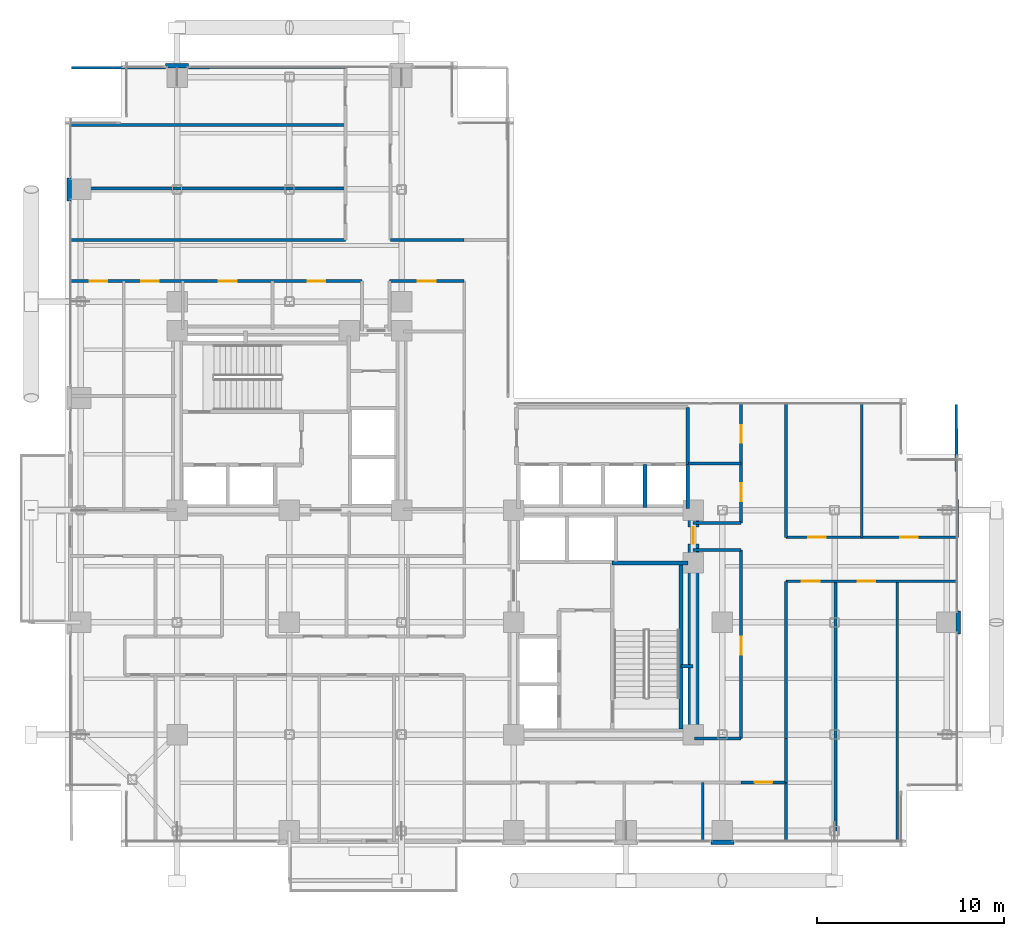
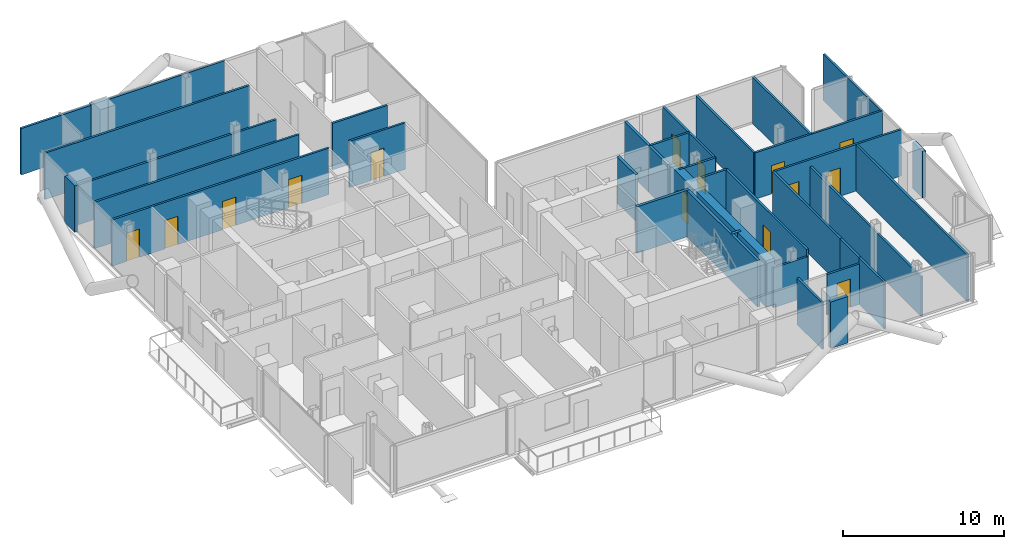
# One storey, part 21 of 24: 37 walls, 14 doors, 14 openings.
"""IFC4 building model written with IfcOpenShell, lengths in metres."""

from ifc_helpers import new_model, si_unit, direction, frame, frame_2d, origin, place, context, subcontext, project, spatial, rectangle, extrude, material, layer, layer_set, type_object, element, fill, save


model = new_model("IFC4")

# Units and contexts
model_context = context("Model", 3, precision=1e-05, world=origin(), true_north=direction((0.0, 1.0)))
body_context = subcontext(model_context, "Body", "Model", "MODEL_VIEW")
ifc_project = project(units=[si_unit("LENGTHUNIT", "METRE"), si_unit("AREAUNIT", "SQUARE_METRE"), si_unit("VOLUMEUNIT", "CUBIC_METRE"), si_unit("PLANEANGLEUNIT", "RADIAN"), si_unit("MASSUNIT", "GRAM", prefix="KILO"), si_unit("THERMODYNAMICTEMPERATUREUNIT", "KELVIN"), si_unit("POWERUNIT", "WATT")], contexts=[model_context])

# Site, building, storey
site_placement = place(None, origin())
site = spatial("IfcSite", under=ifc_project, at=site_placement, CompositionType="ELEMENT")
building_placement = place(site_placement, origin())
building = spatial("IfcBuilding", under=site, at=building_placement, Name="Svarakhadi Broadcast Tower", CompositionType="ELEMENT")
storey_placement = place(building_placement, frame((0.0, 0.0, 156.89990234375)))
storey = spatial("IfcBuildingStorey", under=building, at=storey_placement, Name="L38", CompositionType="ELEMENT", Elevation=156.89990234375)

# Walls
ifc_material_1 = material(Name="Concrete C40/50 (IS 456 M50)", Category="concrete")
ifc_layer_1 = layer(ifc_material_1, 0.239990234375)
ifc_layer_set_1 = layer_set([ifc_layer_1], Name="Concrete C40/50 (IS 456 M50)")
wall_type_1 = type_object("IfcWallType", Name="Wall_Ext_240", PredefinedType="SOLIDWALL", material=ifc_layer_set_1)
for number, where, z_axis, x_axis, name in (
    (1, (0.239990234375, 34.534912109375, 0.0), (0.0, 0.0, 1.0), (0.0, 1.0, 0.0), "L38 Perimeter Bronze Spandrel Closure Wall 03"),
    (2, (5.385009765625, 41.760009765625, 0.0), (0.0, 0.0, 1.0), (1.0, 0.0, 0.0), "L38 Perimeter Bronze Spandrel Closure Wall 04"),
    (3, (47.760009765625, 12.614990234375, 0.0), (0.0, 0.0, 1.0), (0.0, -1.0, 0.0), "L38 Perimeter Bronze Spandrel Closure Wall 06"),
    (4, (35.764892578125, 0.239990234375, 0.0), (0.0, 0.0, 1.0), (-1.0, 0.0, 0.0), "L38 Perimeter Bronze Spandrel Closure Wall 07"),
):
    element("IfcWall", number, at=place(storey_placement, frame(where, z_axis=z_axis, x_axis=x_axis)), inside=storey, type_object=wall_type_1, Name=name, PredefinedType="SOLIDWALL", context=body_context, shape_type="SweptSolid", body=[
        extrude(rectangle(XDim=1.22998046875, YDim=0.239990234375, at=frame_2d((0.614990234375, 0.0))), origin(), (0.0, 0.0, 1.0), 3.525146484375),
    ])
ifc_layer_2 = layer(ifc_material_1, 0.199951171875)
ifc_layer_set_2 = layer_set([ifc_layer_2], Name="Concrete C40/50 (IS 456 M50)")
wall_type_2 = type_object("IfcWallType", Name="Wall_Fire_200", PredefinedType="SOLIDWALL", material=ifc_layer_set_2)
wall_1_placement = place(storey_placement, frame((32.93994140625, 9.659912109375, 0.0), z_axis=(0.0, 0.0, 1.0), x_axis=(1.0, 0.0, 0.0)))
element("IfcWall", 5, at=wall_1_placement, inside=storey, type_object=wall_type_2, Name="L38 HV Busduct Riser Shaft North Wall", PredefinedType="SOLIDWALL", context=body_context, shape_type="SweptSolid", body=[
    extrude(rectangle(XDim=0.64013671875, YDim=0.199951171875, at=frame_2d((0.320068359375, 0.0))), origin(), (0.0, 0.0, 1.0), 3.525146484375),
])

# Wall, opening, door
ifc_material_2 = material(Name="Autoclaved Aerated Concrete Blockwork 150 mm", Category="masonry")
ifc_layer_3 = layer(ifc_material_2, 0.14990234375)
ifc_layer_set_3 = layer_set([ifc_layer_3], Name="Autoclaved Aerated Concrete Blockwork 150 mm")
wall_type_3 = type_object("IfcWallType", Name="Wall_Part_150", PredefinedType="PARTITIONING", material=ifc_layer_set_3)
wall_2_placement = place(storey_placement, frame((36.14990234375, 5.800048828125, 0.0), z_axis=(0.0, 0.0, 1.0), x_axis=(0.0, 1.0, 0.0)))
wall_2 = element("IfcWall", 6, at=wall_2_placement, inside=storey, type_object=wall_type_3, Name="L38 Zone 2/3 Corridor Wall", PredefinedType="PARTITIONING", context=body_context, shape_type="SweptSolid", body=[
    extrude(rectangle(XDim=10.079833984375, YDim=0.14990234375, at=frame_2d((5.0400390625, 0.0))), origin(), (0.0, 0.0, 1.0), 3.525146484375),
])
opening_1_placement = place(wall_2_placement, frame((4.47998046875, 0.0, 0.0)))
opening_1 = element("IfcOpeningElement", 7, at=opening_1_placement, cuts=wall_2, Name="Opening D-06", PredefinedType="OPENING", context=body_context, shape_type="SweptSolid", body=[
    extrude(rectangle(XDim=0.949951171875, YDim=2.14990234375, at=frame_2d((0.47509765625, 1.074951171875))), frame((0.0, 0.0849609375, 0.0), z_axis=(0.0, -1.0, 0.0), x_axis=(1.0, 0.0, 0.0)), (0.0, 0.0, 1.0), 0.169921875),
])
ifc_material_3 = material(Name="Solid-Core Teak Veneer Acoustic Timber Leaf", Category="wood")
door_type_1 = type_object("IfcDoorType", Name="Door_Office_D06", OperationType="SINGLE_SWING_LEFT", PredefinedType="DOOR", material=ifc_material_3)
door_1_placement = place(opening_1_placement, origin())
door_1 = element("IfcDoor", 8, at=door_1_placement, inside=storey, type_object=door_type_1, Name="L38 Media Playout Monitoring Office Door", OperationType="SINGLE_SWING_LEFT", OverallHeight=2.14990234375, OverallWidth=0.949951171875, PredefinedType="DOOR", context=body_context, shape_type="SweptSolid", body=[
    extrude(rectangle(XDim=0.949951171875, YDim=2.14990234375, at=frame_2d((0.47509765625, 1.074951171875))), frame((0.0, 0.02490234375, 0.0), z_axis=(0.0, -1.0, 0.0), x_axis=(1.0, 0.0, 0.0)), (0.0, 0.0, 1.0), 0.050048828125),
])
fill(opening_1, door_1)

# Walls
for number, where, z_axis, x_axis, name in (
    (9, (36.14990234375, 15.8798828125, 0.0), (0.0, 0.0, 1.0), (-1.0, 0.0, 0.0), "L38 Zone 2/3 Corridor Wall"),
    (10, (33.580078125, 17.320068359375, 0.0), (0.0, 0.0, 1.0), (1.0, 0.0, 0.0), "L38 Zone 2/3 Corridor Wall"),
):
    element("IfcWall", number, at=place(storey_placement, frame(where, z_axis=z_axis, x_axis=x_axis)), inside=storey, type_object=wall_type_3, Name=name, PredefinedType="PARTITIONING", context=body_context, shape_type="SweptSolid", body=[
        extrude(rectangle(XDim=2.56982421875, YDim=0.14990234375, at=frame_2d((1.284912109375, 0.0))), origin(), (0.0, 0.0, 1.0), 3.525146484375),
    ])

# Wall, openings, doors
wall_3_placement = place(storey_placement, frame((36.14990234375, 17.320068359375, 0.0), z_axis=(0.0, 0.0, 1.0), x_axis=(0.0, 1.0, 0.0)))
wall_3 = element("IfcWall", 11, at=wall_3_placement, inside=storey, type_object=wall_type_3, Name="L38 Zone 2/3 Corridor Wall", PredefinedType="PARTITIONING", context=body_context, shape_type="SweptSolid", body=[
    extrude(rectangle(XDim=6.3798828125, YDim=0.14990234375, at=frame_2d((3.18994140625, 0.0))), origin(), (0.0, 0.0, 1.0), 3.525146484375),
])
opening_2_placement = place(wall_3_placement, frame((1.159912109375, 0.0, 0.0)))
opening_2 = element("IfcOpeningElement", 12, at=opening_2_placement, cuts=wall_3, Name="Opening D-07", PredefinedType="OPENING", context=body_context, shape_type="SweptSolid", body=[
    extrude(rectangle(XDim=0.949951171875, YDim=2.14990234375, at=frame_2d((0.47509765625, 1.074951171875))), frame((0.0, 0.0849609375, 0.0), z_axis=(0.0, -1.0, 0.0), x_axis=(1.0, 0.0, 0.0)), (0.0, 0.0, 1.0), 0.169921875),
])
opening_3_placement = place(wall_3_placement, frame((4.280029296875, 0.0, 0.0)))
opening_3 = element("IfcOpeningElement", 13, at=opening_3_placement, cuts=wall_3, Name="Opening D-07", PredefinedType="OPENING", context=body_context, shape_type="SweptSolid", body=[
    extrude(rectangle(XDim=0.949951171875, YDim=2.14990234375, at=frame_2d((0.47509765625, 1.074951171875))), frame((0.0, 0.0849609375, 0.0), z_axis=(0.0, -1.0, 0.0), x_axis=(1.0, 0.0, 0.0)), (0.0, 0.0, 1.0), 0.169921875),
])
door_type_2 = type_object("IfcDoorType", Name="Door_Office_D07", OperationType="SINGLE_SWING_RIGHT", PredefinedType="DOOR", material=ifc_material_3)
door_2_placement = place(opening_2_placement, origin())
door_2 = element("IfcDoor", 14, at=door_2_placement, inside=storey, type_object=door_type_2, Name="L38 Post-Production Coordination Office Door", OperationType="SINGLE_SWING_RIGHT", OverallHeight=2.14990234375, OverallWidth=0.949951171875, PredefinedType="DOOR", context=body_context, shape_type="SweptSolid", body=[
    extrude(rectangle(XDim=0.949951171875, YDim=2.14990234375, at=frame_2d((0.47509765625, 1.074951171875))), frame((0.0, 0.02490234375, 0.0), z_axis=(0.0, -1.0, 0.0), x_axis=(1.0, 0.0, 0.0)), (0.0, 0.0, 1.0), 0.050048828125),
])
fill(opening_2, door_2)
door_3_placement = place(opening_3_placement, origin())
door_3 = element("IfcDoor", 15, at=door_3_placement, inside=storey, type_object=door_type_2, Name="L38 Broadcast Quality Review Pod Door", OperationType="SINGLE_SWING_RIGHT", OverallHeight=2.14990234375, OverallWidth=0.949951171875, PredefinedType="DOOR", context=body_context, shape_type="SweptSolid", body=[
    extrude(rectangle(XDim=0.949951171875, YDim=2.14990234375, at=frame_2d((0.47509765625, 1.074951171875))), frame((0.0, 0.02490234375, 0.0), z_axis=(0.0, -1.0, 0.0), x_axis=(1.0, 0.0, 0.0)), (0.0, 0.0, 1.0), 0.050048828125),
])
fill(opening_3, door_3)

# Wall
wall_4_placement = place(storey_placement, frame((38.550048828125, 23.699951171875, 0.0), z_axis=(0.0, 0.0, 1.0), x_axis=(0.0, -1.0, 0.0)))
element("IfcWall", 16, at=wall_4_placement, inside=storey, type_object=wall_type_3, Name="L38 Zone 2/3 Corridor Wall", PredefinedType="PARTITIONING", context=body_context, shape_type="SweptSolid", body=[
    extrude(rectangle(XDim=7.14990234375, YDim=0.14990234375, at=frame_2d((3.574951171875, 0.0))), origin(), (0.0, 0.0, 1.0), 3.525146484375),
])

# Wall, openings, doors
wall_5_placement = place(storey_placement, frame((38.550048828125, 16.550048828125, 0.0), z_axis=(0.0, 0.0, 1.0), x_axis=(1.0, 0.0, 0.0)))
wall_5 = element("IfcWall", 17, at=wall_5_placement, inside=storey, type_object=wall_type_3, Name="L38 Zone 2/3 Corridor Wall", PredefinedType="PARTITIONING", context=body_context, shape_type="SweptSolid", body=[
    extrude(rectangle(XDim=9.14990234375, YDim=0.14990234375, at=frame_2d((4.574951171875, 0.0))), origin(), (0.0, 0.0, 1.0), 3.525146484375),
])
opening_4_placement = place(wall_5_placement, frame((1.179931640625, 0.0, 0.0)))
opening_4 = element("IfcOpeningElement", 18, at=opening_4_placement, cuts=wall_5, Name="Opening D-06", PredefinedType="OPENING", context=body_context, shape_type="SweptSolid", body=[
    extrude(rectangle(XDim=0.949951171875, YDim=2.14990234375, at=frame_2d((0.47509765625, 1.074951171875))), frame((0.0, 0.0849609375, 0.0), z_axis=(0.0, -1.0, 0.0), x_axis=(1.0, 0.0, 0.0)), (0.0, 0.0, 1.0), 0.169921875),
])
opening_5_placement = place(wall_5_placement, frame((6.10009765625, 0.0, 0.0)))
opening_5 = element("IfcOpeningElement", 19, at=opening_5_placement, cuts=wall_5, Name="Opening D-07", PredefinedType="OPENING", context=body_context, shape_type="SweptSolid", body=[
    extrude(rectangle(XDim=0.949951171875, YDim=2.14990234375, at=frame_2d((0.47509765625, 1.074951171875))), frame((0.0, 0.0849609375, 0.0), z_axis=(0.0, -1.0, 0.0), x_axis=(1.0, 0.0, 0.0)), (0.0, 0.0, 1.0), 0.169921875),
])
door_4_placement = place(opening_4_placement, origin())
door_4 = element("IfcDoor", 20, at=door_4_placement, inside=storey, type_object=door_type_1, Name="L38 Broadcast Graphics Room Door", OperationType="SINGLE_SWING_LEFT", OverallHeight=2.14990234375, OverallWidth=0.949951171875, PredefinedType="DOOR", context=body_context, shape_type="SweptSolid", body=[
    extrude(rectangle(XDim=0.949951171875, YDim=2.14990234375, at=frame_2d((0.47509765625, 1.074951171875))), frame((0.0, 0.02490234375, 0.0), z_axis=(0.0, -1.0, 0.0), x_axis=(1.0, 0.0, 0.0)), (0.0, 0.0, 1.0), 0.050048828125),
])
fill(opening_4, door_4)
door_5_placement = place(opening_5_placement, origin())
door_5 = element("IfcDoor", 21, at=door_5_placement, inside=storey, type_object=door_type_2, Name="L38 Graphics Workstation Office Door", OperationType="SINGLE_SWING_RIGHT", OverallHeight=2.14990234375, OverallWidth=0.949951171875, PredefinedType="DOOR", context=body_context, shape_type="SweptSolid", body=[
    extrude(rectangle(XDim=0.949951171875, YDim=2.14990234375, at=frame_2d((0.47509765625, 1.074951171875))), frame((0.0, 0.02490234375, 0.0), z_axis=(0.0, -1.0, 0.0), x_axis=(1.0, 0.0, 0.0)), (0.0, 0.0, 1.0), 0.050048828125),
])
fill(opening_5, door_5)

wall_6_placement = place(storey_placement, frame((47.699951171875, 14.199951171875, 0.0), z_axis=(0.0, 0.0, 1.0), x_axis=(-1.0, 0.0, 0.0)))
wall_6 = element("IfcWall", 22, at=wall_6_placement, inside=storey, type_object=wall_type_3, Name="L38 Zone 2/3 Corridor Wall", PredefinedType="PARTITIONING", context=body_context, shape_type="SweptSolid", body=[
    extrude(rectangle(XDim=9.14990234375, YDim=0.14990234375, at=frame_2d((4.574951171875, 0.0))), origin(), (0.0, 0.0, 1.0), 3.525146484375),
])
opening_6_placement = place(wall_6_placement, frame((7.35009765625, 0.0, 0.0)))
opening_6 = element("IfcOpeningElement", 23, at=opening_6_placement, cuts=wall_6, Name="Opening D-06", PredefinedType="OPENING", context=body_context, shape_type="SweptSolid", body=[
    extrude(rectangle(XDim=0.949951171875, YDim=2.14990234375, at=frame_2d((0.47509765625, 1.074951171875))), frame((0.0, 0.0849609375, 0.0), z_axis=(0.0, -1.0, 0.0), x_axis=(1.0, 0.0, 0.0)), (0.0, 0.0, 1.0), 0.169921875),
])
opening_7_placement = place(wall_6_placement, frame((4.375, 0.0, 0.0)))
opening_7 = element("IfcOpeningElement", 24, at=opening_7_placement, cuts=wall_6, Name="Opening D-07", PredefinedType="OPENING", context=body_context, shape_type="SweptSolid", body=[
    extrude(rectangle(XDim=0.949951171875, YDim=2.14990234375, at=frame_2d((0.47509765625, 1.074951171875))), frame((0.0, 0.0849609375, 0.0), z_axis=(0.0, -1.0, 0.0), x_axis=(1.0, 0.0, 0.0)), (0.0, 0.0, 1.0), 0.169921875),
])
door_6_placement = place(opening_6_placement, origin())
door_6 = element("IfcDoor", 25, at=door_6_placement, inside=storey, type_object=door_type_1, Name="L38 Multilingual Subtitling Office Door", OperationType="SINGLE_SWING_LEFT", OverallHeight=2.14990234375, OverallWidth=0.949951171875, PredefinedType="DOOR", context=body_context, shape_type="SweptSolid", body=[
    extrude(rectangle(XDim=0.949951171875, YDim=2.14990234375, at=frame_2d((0.47509765625, 1.074951171875))), frame((0.0, 0.02490234375, 0.0), z_axis=(0.0, -1.0, 0.0), x_axis=(1.0, 0.0, 0.0)), (0.0, 0.0, 1.0), 0.050048828125),
])
fill(opening_6, door_6)
door_7_placement = place(opening_7_placement, origin())
door_7 = element("IfcDoor", 26, at=door_7_placement, inside=storey, type_object=door_type_2, Name="L38 Sign-Language Capture Booth Door", OperationType="SINGLE_SWING_RIGHT", OverallHeight=2.14990234375, OverallWidth=0.949951171875, PredefinedType="DOOR", context=body_context, shape_type="SweptSolid", body=[
    extrude(rectangle(XDim=0.949951171875, YDim=2.14990234375, at=frame_2d((0.47509765625, 1.074951171875))), frame((0.0, 0.02490234375, 0.0), z_axis=(0.0, -1.0, 0.0), x_axis=(1.0, 0.0, 0.0)), (0.0, 0.0, 1.0), 0.050048828125),
])
fill(opening_7, door_7)

# Walls
wall_7_placement = place(storey_placement, frame((38.550048828125, 14.199951171875, 0.0), z_axis=(0.0, 0.0, 1.0), x_axis=(0.0, -1.0, 0.0)))
element("IfcWall", 27, at=wall_7_placement, inside=storey, type_object=wall_type_3, Name="L38 Zone 2/3 Corridor Wall", PredefinedType="PARTITIONING", context=body_context, shape_type="SweptSolid", body=[
    extrude(rectangle(XDim=8.39990234375, YDim=0.14990234375, at=frame_2d((4.199951171875, 0.0))), origin(), (0.0, 0.0, 1.0), 3.525146484375),
])
wall_8_placement = place(storey_placement, frame((38.550048828125, 5.800048828125, 0.0), z_axis=(0.0, 0.0, 1.0), x_axis=(0.0, -1.0, 0.0)))
element("IfcWall", 28, at=wall_8_placement, inside=storey, type_object=wall_type_3, Name="L38 Zone 2/3 Corridor Wall", PredefinedType="PARTITIONING", context=body_context, shape_type="SweptSolid", body=[
    extrude(rectangle(XDim=2.35009765625, YDim=0.14990234375, at=frame_2d((1.175048828125, 0.0))), origin(), (0.0, 0.0, 1.0), 3.525146484375),
])

# Wall, opening, door
wall_9_placement = place(storey_placement, frame((38.550048828125, 3.449951171875, 0.0), z_axis=(0.0, 0.0, 1.0), x_axis=(-1.0, 0.0, 0.0)))
wall_9 = element("IfcWall", 29, at=wall_9_placement, inside=storey, type_object=wall_type_3, Name="L38 Zone 2/3 Corridor Wall", PredefinedType="PARTITIONING", context=body_context, shape_type="SweptSolid", body=[
    extrude(rectangle(XDim=2.400146484375, YDim=0.14990234375, at=frame_2d((1.2001953125, 0.0))), origin(), (0.0, 0.0, 1.0), 3.067138671875),
])
opening_8_placement = place(wall_9_placement, frame((0.72509765625, 0.0, 0.0)))
opening_8 = element("IfcOpeningElement", 30, at=opening_8_placement, cuts=wall_9, Name="Opening D-06", PredefinedType="OPENING", context=body_context, shape_type="SweptSolid", body=[
    extrude(rectangle(XDim=0.949951171875, YDim=2.14990234375, at=frame_2d((0.47509765625, 1.074951171875))), frame((0.0, 0.0849609375, 0.0), z_axis=(0.0, -1.0, 0.0), x_axis=(1.0, 0.0, 0.0)), (0.0, 0.0, 1.0), 0.169921875),
])
door_8_placement = place(opening_8_placement, origin())
door_8 = element("IfcDoor", 31, at=door_8_placement, inside=storey, type_object=door_type_1, Name="L38 Harbour Front Production Office Door", OperationType="SINGLE_SWING_LEFT", OverallHeight=2.14990234375, OverallWidth=0.949951171875, PredefinedType="DOOR", context=body_context, shape_type="SweptSolid", body=[
    extrude(rectangle(XDim=0.949951171875, YDim=2.14990234375, at=frame_2d((0.47509765625, 1.074951171875))), frame((0.0, 0.02490234375, 0.0), z_axis=(0.0, -1.0, 0.0), x_axis=(1.0, 0.0, 0.0)), (0.0, 0.0, 1.0), 0.050048828125),
])
fill(opening_8, door_8)

wall_10_placement = place(storey_placement, frame((21.35009765625, 30.25, 0.0), z_axis=(0.0, 0.0, 1.0), x_axis=(-1.0, 0.0, 0.0)))
wall_10 = element("IfcWall", 32, at=wall_10_placement, inside=storey, type_object=wall_type_3, Name="L38 Zone 2/3 Corridor Wall", PredefinedType="PARTITIONING", context=body_context, shape_type="SweptSolid", body=[
    extrude(rectangle(XDim=4.0, YDim=0.14990234375, at=frame_2d((2.0, 0.0))), origin(), (0.0, 0.0, 1.0), 3.525146484375),
])
opening_9_placement = place(wall_10_placement, frame((1.52490234375, 0.0, 0.0)))
opening_9 = element("IfcOpeningElement", 33, at=opening_9_placement, cuts=wall_10, Name="Opening D-06", PredefinedType="OPENING", context=body_context, shape_type="SweptSolid", body=[
    extrude(rectangle(XDim=0.949951171875, YDim=2.14990234375, at=frame_2d((0.47509765625, 1.074951171875))), frame((0.0, 0.0849609375, 0.0), z_axis=(0.0, -1.0, 0.0), x_axis=(1.0, 0.0, 0.0)), (0.0, 0.0, 1.0), 0.169921875),
])
door_9_placement = place(opening_9_placement, origin())
door_9 = element("IfcDoor", 34, at=door_9_placement, inside=storey, type_object=door_type_1, Name="L38 Media Continuity Study Door", OperationType="SINGLE_SWING_LEFT", OverallHeight=2.14990234375, OverallWidth=0.949951171875, PredefinedType="DOOR", context=body_context, shape_type="SweptSolid", body=[
    extrude(rectangle(XDim=0.949951171875, YDim=2.14990234375, at=frame_2d((0.47509765625, 1.074951171875))), frame((0.0, 0.02490234375, 0.0), z_axis=(0.0, -1.0, 0.0), x_axis=(1.0, 0.0, 0.0)), (0.0, 0.0, 1.0), 0.050048828125),
])
fill(opening_9, door_9)

# Wall, openings, doors
wall_11_placement = place(storey_placement, frame((15.8798828125, 30.25, 0.0), z_axis=(0.0, 0.0, 1.0), x_axis=(-1.0, 0.0, 0.0)))
wall_11 = element("IfcWall", 35, at=wall_11_placement, inside=storey, type_object=wall_type_3, Name="L38 Zone 2/3 Corridor Wall", PredefinedType="PARTITIONING", context=body_context, shape_type="SweptSolid", body=[
    extrude(rectangle(XDim=15.579833984375, YDim=0.14990234375, at=frame_2d((7.7900390625, 0.0))), origin(), (0.0, 0.0, 1.0), 3.525146484375),
])
opening_10_placement = place(wall_11_placement, frame((13.610107421875, 0.0, 0.0)))
opening_10 = element("IfcOpeningElement", 36, at=opening_10_placement, cuts=wall_11, Name="Opening D-06", PredefinedType="OPENING", context=body_context, shape_type="SweptSolid", body=[
    extrude(rectangle(XDim=0.949951171875, YDim=2.14990234375, at=frame_2d((0.47509765625, 1.074951171875))), frame((0.0, 0.0849609375, 0.0), z_axis=(0.0, -1.0, 0.0), x_axis=(1.0, 0.0, 0.0)), (0.0, 0.0, 1.0), 0.169921875),
])
opening_11_placement = place(wall_11_placement, frame((10.85498046875, 0.0, 0.0)))
opening_11 = element("IfcOpeningElement", 37, at=opening_11_placement, cuts=wall_11, Name="Opening D-07", PredefinedType="OPENING", context=body_context, shape_type="SweptSolid", body=[
    extrude(rectangle(XDim=0.949951171875, YDim=2.14990234375, at=frame_2d((0.47509765625, 1.074951171875))), frame((0.0, 0.0849609375, 0.0), z_axis=(0.0, -1.0, 0.0), x_axis=(1.0, 0.0, 0.0)), (0.0, 0.0, 1.0), 0.169921875),
])
opening_12_placement = place(wall_11_placement, frame((6.705078125, 0.0, 0.0)))
opening_12 = element("IfcOpeningElement", 38, at=opening_12_placement, cuts=wall_11, Name="Opening D-07", PredefinedType="OPENING", context=body_context, shape_type="SweptSolid", body=[
    extrude(rectangle(XDim=0.949951171875, YDim=2.14990234375, at=frame_2d((0.47509765625, 1.074951171875))), frame((0.0, 0.0849609375, 0.0), z_axis=(0.0, -1.0, 0.0), x_axis=(1.0, 0.0, 0.0)), (0.0, 0.0, 1.0), 0.169921875),
])
opening_13_placement = place(wall_11_placement, frame((1.955078125, 0.0, 0.0)))
opening_13 = element("IfcOpeningElement", 39, at=opening_13_placement, cuts=wall_11, Name="Opening D-06", PredefinedType="OPENING", context=body_context, shape_type="SweptSolid", body=[
    extrude(rectangle(XDim=0.949951171875, YDim=2.14990234375, at=frame_2d((0.47509765625, 1.074951171875))), frame((0.0, 0.0849609375, 0.0), z_axis=(0.0, -1.0, 0.0), x_axis=(1.0, 0.0, 0.0)), (0.0, 0.0, 1.0), 0.169921875),
])
door_10_placement = place(opening_10_placement, origin())
door_10 = element("IfcDoor", 40, at=door_10_placement, inside=storey, type_object=door_type_1, Name="L38 Sunset Horizon Screening Room Door", OperationType="SINGLE_SWING_LEFT", OverallHeight=2.14990234375, OverallWidth=0.949951171875, PredefinedType="DOOR", context=body_context, shape_type="SweptSolid", body=[
    extrude(rectangle(XDim=0.949951171875, YDim=2.14990234375, at=frame_2d((0.47509765625, 1.074951171875))), frame((0.0, 0.02490234375, 0.0), z_axis=(0.0, -1.0, 0.0), x_axis=(1.0, 0.0, 0.0)), (0.0, 0.0, 1.0), 0.050048828125),
])
fill(opening_10, door_10)
door_11_placement = place(opening_13_placement, origin())
door_11 = element("IfcDoor", 41, at=door_11_placement, inside=storey, type_object=door_type_1, Name="L38 Editorial Color Grading Pod Door", OperationType="SINGLE_SWING_LEFT", OverallHeight=2.14990234375, OverallWidth=0.949951171875, PredefinedType="DOOR", context=body_context, shape_type="SweptSolid", body=[
    extrude(rectangle(XDim=0.949951171875, YDim=2.14990234375, at=frame_2d((0.47509765625, 1.074951171875))), frame((0.0, 0.02490234375, 0.0), z_axis=(0.0, -1.0, 0.0), x_axis=(1.0, 0.0, 0.0)), (0.0, 0.0, 1.0), 0.050048828125),
])
fill(opening_13, door_11)
door_12_placement = place(opening_11_placement, origin())
door_12 = element("IfcDoor", 42, at=door_12_placement, inside=storey, type_object=door_type_2, Name="L38 Sunset Horizon Screening Room Door", OperationType="SINGLE_SWING_RIGHT", OverallHeight=2.14990234375, OverallWidth=0.949951171875, PredefinedType="DOOR", context=body_context, shape_type="SweptSolid", body=[
    extrude(rectangle(XDim=0.949951171875, YDim=2.14990234375, at=frame_2d((0.47509765625, 1.074951171875))), frame((0.0, 0.02490234375, 0.0), z_axis=(0.0, -1.0, 0.0), x_axis=(1.0, 0.0, 0.0)), (0.0, 0.0, 1.0), 0.050048828125),
])
fill(opening_11, door_12)
door_13_placement = place(opening_12_placement, origin())
door_13 = element("IfcDoor", 43, at=door_13_placement, inside=storey, type_object=door_type_2, Name="L38 Acoustic Dubbing Booth Door", OperationType="SINGLE_SWING_RIGHT", OverallHeight=2.14990234375, OverallWidth=0.949951171875, PredefinedType="DOOR", context=body_context, shape_type="SweptSolid", body=[
    extrude(rectangle(XDim=0.949951171875, YDim=2.14990234375, at=frame_2d((0.47509765625, 1.074951171875))), frame((0.0, 0.02490234375, 0.0), z_axis=(0.0, -1.0, 0.0), x_axis=(1.0, 0.0, 0.0)), (0.0, 0.0, 1.0), 0.050048828125),
])
fill(opening_12, door_13)

# Walls
wall_12_placement = place(storey_placement, frame((0.300048828125, 32.449951171875, 0.0), z_axis=(0.0, 0.0, 1.0), x_axis=(1.0, 0.0, 0.0)))
element("IfcWall", 44, at=wall_12_placement, inside=storey, type_object=wall_type_3, Name="L38 Zone 2/3 Corridor Wall", PredefinedType="PARTITIONING", context=body_context, shape_type="SweptSolid", body=[
    extrude(rectangle(XDim=14.699951171875, YDim=0.14990234375, at=frame_2d((7.35009765625, 0.0))), origin(), (0.0, 0.0, 1.0), 3.525146484375),
])
wall_13_placement = place(storey_placement, frame((17.39990234375, 32.449951171875, 0.0), z_axis=(0.0, 0.0, 1.0), x_axis=(1.0, 0.0, 0.0)))
element("IfcWall", 45, at=wall_13_placement, inside=storey, type_object=wall_type_3, Name="L38 Zone 2/3 Corridor Wall", PredefinedType="PARTITIONING", context=body_context, shape_type="SweptSolid", body=[
    extrude(rectangle(XDim=3.9501953125, YDim=0.14990234375, at=frame_2d((1.97509765625, 0.0))), origin(), (0.0, 0.0, 1.0), 3.525146484375),
])
for number, where, z_axis, x_axis, name in (
    (46, (34.10009765625, 0.300048828125, 0.0), (0.0, 0.0, 1.0), (0.0, 1.0, 0.0), "L38 Artisanal Espresso Bar Wall"),
    (47, (38.550048828125, 0.300048828125, 0.0), (0.0, 0.0, 1.0), (0.0, 1.0, 0.0), "L38 Harbour Front Production Office Wall"),
):
    element("IfcWall", number, at=place(storey_placement, frame(where, z_axis=z_axis, x_axis=x_axis)), inside=storey, type_object=wall_type_3, Name=name, PredefinedType="PARTITIONING", context=body_context, shape_type="SweptSolid", body=[
        extrude(rectangle(XDim=3.14990234375, YDim=0.14990234375, at=frame_2d((1.574951171875, 0.0))), origin(), (0.0, 0.0, 1.0), 3.525146484375),
    ])
wall_14_placement = place(storey_placement, frame((33.64990234375, 5.800048828125, 0.0), z_axis=(0.0, 0.0, 1.0), x_axis=(1.0, 0.0, 0.0)))
element("IfcWall", 48, at=wall_14_placement, inside=storey, type_object=wall_type_3, Name="L38 Media Playout Monitoring Office Wall", PredefinedType="PARTITIONING", context=body_context, shape_type="SweptSolid", body=[
    extrude(rectangle(XDim=2.5, YDim=0.14990234375, at=frame_2d((1.25, 0.0))), origin(), (0.0, 0.0, 1.0), 3.01708984375),
])
wall_15_placement = place(storey_placement, frame((33.35009765625, 20.5, 0.0), z_axis=(0.0, 0.0, 1.0), x_axis=(1.0, 0.0, 0.0)))
element("IfcWall", 49, at=wall_15_placement, inside=storey, type_object=wall_type_3, Name="L38 Post-Production Coordination Office Wall", PredefinedType="PARTITIONING", context=body_context, shape_type="SweptSolid", body=[
    extrude(rectangle(XDim=2.7998046875, YDim=0.14990234375, at=frame_2d((1.39990234375, 0.0))), origin(), (0.0, 0.0, 1.0), 3.525146484375),
])
wall_16_placement = place(storey_placement, frame((41.199951171875, 0.300048828125, 0.0), z_axis=(0.0, 0.0, 1.0), x_axis=(0.0, 1.0, 0.0)))
element("IfcWall", 50, at=wall_16_placement, inside=storey, type_object=wall_type_3, Name="L38 Multilingual Subtitling Office Wall", PredefinedType="PARTITIONING", context=body_context, shape_type="SweptSolid", body=[
    extrude(rectangle(XDim=13.89990234375, YDim=0.14990234375, at=frame_2d((6.949951171875, 0.0))), origin(), (0.0, 0.0, 1.0), 3.01708984375),
])
wall_17_placement = place(storey_placement, frame((44.5, 0.300048828125, 0.0), z_axis=(0.0, 0.0, 1.0), x_axis=(0.0, 1.0, 0.0)))
element("IfcWall", 51, at=wall_17_placement, inside=storey, type_object=wall_type_3, Name="L38 Sign-Language Capture Booth Wall", PredefinedType="PARTITIONING", context=body_context, shape_type="SweptSolid", body=[
    extrude(rectangle(XDim=13.89990234375, YDim=0.14990234375, at=frame_2d((6.949951171875, 0.0))), origin(), (0.0, 0.0, 1.0), 3.525146484375),
])
wall_18_placement = place(storey_placement, frame((42.60009765625, 16.550048828125, 0.0), z_axis=(0.0, 0.0, 1.0), x_axis=(0.0, 1.0, 0.0)))
element("IfcWall", 52, at=wall_18_placement, inside=storey, type_object=wall_type_3, Name="L38 Broadcast Graphics Room Wall", PredefinedType="PARTITIONING", context=body_context, shape_type="SweptSolid", body=[
    extrude(rectangle(XDim=7.14990234375, YDim=0.14990234375, at=frame_2d((3.574951171875, 0.0))), origin(), (0.0, 0.0, 1.0), 3.525146484375),
])
wall_19_placement = place(storey_placement, frame((47.699951171875, 16.550048828125, 0.0), z_axis=(0.0, 0.0, 1.0), x_axis=(-0.007049101019, 0.999975154779, 0.0)))
element("IfcWall", 53, at=wall_19_placement, inside=storey, type_object=wall_type_3, Name="L38 Graphics Workstation Office Wall", PredefinedType="PARTITIONING", context=body_context, shape_type="SweptSolid", body=[
    extrude(rectangle(XDim=7.10009765625, YDim=0.14990234375, at=frame_2d((3.550048828125, 0.0))), origin(), (0.0, 0.0, 1.0), 3.525146484375),
])
wall_20_placement = place(storey_placement, frame((0.300048828125, 35.199951171875, 0.0), z_axis=(0.0, 0.0, 1.0), x_axis=(1.0, 0.0, 0.0)))
element("IfcWall", 54, at=wall_20_placement, inside=storey, type_object=wall_type_3, Name="L38 Fact-Checking Seminar Room Wall", PredefinedType="PARTITIONING", context=body_context, shape_type="SweptSolid", body=[
    extrude(rectangle(XDim=14.699951171875, YDim=0.14990234375, at=frame_2d((7.35009765625, 0.0))), origin(), (0.0, 0.0, 1.0), 3.01708984375),
])
wall_21_placement = place(storey_placement, frame((0.300048828125, 38.60009765625, 0.0), z_axis=(0.0, 0.0, 1.0), x_axis=(1.0, 0.0, 0.0)))
element("IfcWall", 55, at=wall_21_placement, inside=storey, type_object=wall_type_3, Name="L38 Technical Production Office Wall", PredefinedType="PARTITIONING", context=body_context, shape_type="SweptSolid", body=[
    extrude(rectangle(XDim=14.699951171875, YDim=0.14990234375, at=frame_2d((7.35009765625, 0.0))), origin(), (0.0, 0.0, 1.0), 3.525146484375),
])
wall_22_placement = place(storey_placement, frame((0.35009765625, 41.64990234375, 0.0), z_axis=(0.0, 0.0, 1.0), x_axis=(0.999994073761, 0.003442737683, 0.0)))
element("IfcWall", 56, at=wall_22_placement, inside=storey, type_object=wall_type_3, Name="L38 News Verification Pod Wall", PredefinedType="PARTITIONING", context=body_context, shape_type="SweptSolid", body=[
    extrude(rectangle(XDim=5.034912109375, YDim=0.14990234375, at=frame_2d((2.517578125, 0.0))), origin(), (0.0, 0.0, 1.0), 3.525146484375),
])
wall_23_placement = place(storey_placement, frame((6.614990234375, 41.67138671875, 0.0), z_axis=(0.0, 0.0, 1.0), x_axis=(0.999994197557, 0.003406589638, 0.0)))
element("IfcWall", 57, at=wall_23_placement, inside=storey, type_object=wall_type_3, Name="L38 News Verification Pod Wall", PredefinedType="PARTITIONING", context=body_context, shape_type="SweptSolid", body=[
    extrude(rectangle(XDim=8.385009765625, YDim=0.14990234375, at=frame_2d((4.1923828125, 0.0))), origin(), (0.0, 0.0, 1.0), 3.525146484375),
])
ifc_material_4 = material(Name="Concrete C50/60 (IS 456 M60)", Category="concrete")
ifc_layer_4 = layer(ifc_material_4, 0.199951171875)
ifc_layer_set_4 = layer_set([ifc_layer_4], Name="Concrete C50/60 (IS 456 M60)")
wall_type_4 = type_object("IfcWallType", Name="Wall_Shear_200", PredefinedType="SHEAR", material=ifc_layer_set_4)
wall_24_placement = place(storey_placement, frame((32.93994140625, 6.300048828125, 0.0), z_axis=(0.0, 0.0, 1.0), x_axis=(0.0, 1.0, 0.0)))
element("IfcWall", 58, at=wall_24_placement, inside=storey, type_object=wall_type_4, Name="L38 Stair ST-02 East RC Shaft Wall", PredefinedType="SHEAR", context=body_context, shape_type="SweptSolid", body=[
    extrude(rectangle(XDim=8.8798828125, YDim=0.199951171875, at=frame_2d((4.43994140625, 0.0))), origin(), (0.0, 0.0, 1.0), 3.525146484375),
])
wall_25_placement = place(storey_placement, frame((29.260009765625, 15.179931640625, 0.0), z_axis=(0.0, 0.0, 1.0), x_axis=(1.0, 0.0, 0.0)))
element("IfcWall", 59, at=wall_25_placement, inside=storey, type_object=wall_type_4, Name="L38 Stair ST-02 North RC Shaft Wall", PredefinedType="SHEAR", context=body_context, shape_type="SweptSolid", body=[
    extrude(rectangle(XDim=4.0400390625, YDim=0.199951171875, at=frame_2d((2.02001953125, 0.0))), origin(), (0.0, 0.0, 1.0), 3.525146484375),
])
wall_26_placement = place(storey_placement, frame((33.300048828125, 18.10009765625, 0.0), z_axis=(0.0, 0.0, 1.0), x_axis=(0.0, 1.0, 0.0)))
element("IfcWall", 60, at=wall_26_placement, inside=storey, type_object=wall_type_4, Name="L38 Bank B East Shaft Wall", PredefinedType="SHEAR", context=body_context, shape_type="SweptSolid", body=[
    extrude(rectangle(XDim=2.349853515625, YDim=0.199951171875, at=frame_2d((1.1748046875, 0.0))), origin(), (0.0, 0.0, 1.0), 3.525146484375),
])
wall_27_placement = place(storey_placement, frame((31.02001953125, 18.14990234375, 0.0), z_axis=(0.0, 0.0, 1.0), x_axis=(0.0, 1.0, 0.0)))
element("IfcWall", 61, at=wall_27_placement, inside=storey, type_object=wall_type_4, Name="L38 Bank B Divider", PredefinedType="SHEAR", context=body_context, shape_type="SweptSolid", body=[
    extrude(rectangle(XDim=2.300048828125, YDim=0.199951171875, at=frame_2d((1.14990234375, 0.0))), origin(), (0.0, 0.0, 1.0), 3.525146484375),
])
wall_28_placement = place(storey_placement, frame((33.300048828125, 20.449951171875, 0.0), z_axis=(0.0, 0.0, 1.0), x_axis=(0.0, 1.0, 0.0)))
element("IfcWall", 62, at=wall_28_placement, inside=storey, type_object=wall_type_4, Name="L38 Bank B Lift Hall East Wall", PredefinedType="SHEAR", context=body_context, shape_type="SweptSolid", body=[
    extrude(rectangle(XDim=3.050048828125, YDim=0.199951171875, at=frame_2d((1.52490234375, 0.0))), origin(), (0.0, 0.0, 1.0), 3.525146484375),
])

# Wall, opening, door
ifc_material_5 = material(Name="Concrete C60/75 (IS 456 M70)", Category="concrete")
ifc_layer_5 = layer(ifc_material_5, 0.60009765625)
ifc_layer_set_5 = layer_set([ifc_layer_5], Name="Concrete C60/75 (IS 456 M70)")
wall_type_5 = type_object("IfcWallType", Name="Wall_Shear_600", PredefinedType="SHEAR", material=ifc_layer_set_5)
wall_29_placement = place(storey_placement, frame((33.60009765625, 6.0, 0.0), z_axis=(0.0, 0.0, 1.0), x_axis=(0.0, 1.0, 0.0)))
wall_29 = element("IfcWall", 63, at=wall_29_placement, inside=storey, type_object=wall_type_5, Name="L38 East Core East Shear Wall", PredefinedType="SHEAR", context=body_context, shape_type="SweptSolid", body=[
    extrude(rectangle(XDim=12.0, YDim=0.60009765625, at=frame_2d((6.0, 0.0))), origin(), (0.0, 0.0, 1.0), 3.525146484375),
])
opening_14_placement = place(wall_29_placement, frame((10.199951171875, 0.0, 0.0)))
opening_14 = element("IfcOpeningElement", 64, at=opening_14_placement, cuts=wall_29, Name="Opening D-03", PredefinedType="OPENING", context=body_context, shape_type="SweptSolid", body=[
    extrude(rectangle(XDim=0.89990234375, YDim=2.14990234375, at=frame_2d((0.449951171875, 1.074951171875))), frame((0.0, 0.31005859375, 0.0), z_axis=(0.0, -1.0, 0.0), x_axis=(1.0, 0.0, 0.0)), (0.0, 0.0, 1.0), 0.6201171875),
])
ifc_material_6 = material(Name="Galvanised Powder-Coated Fire-Rated Steel Leaf", Category="steel")
door_type_3 = type_object("IfcDoorType", Name="Door_Fire_D03", OperationType="SINGLE_SWING_LEFT", PredefinedType="DOOR", material=ifc_material_6)
door_14_placement = place(opening_14_placement, origin())
door_14 = element("IfcDoor", 65, at=door_14_placement, inside=storey, type_object=door_type_3, Name="L38 East Core Service Store Door", OperationType="SINGLE_SWING_LEFT", OverallHeight=2.14990234375, OverallWidth=0.89990234375, PredefinedType="DOOR", context=body_context, shape_type="SweptSolid", body=[
    extrude(rectangle(XDim=0.89990234375, YDim=2.14990234375, at=frame_2d((0.449951171875, 1.074951171875))), frame((0.0, 0.02490234375, 0.0), z_axis=(0.0, -1.0, 0.0), x_axis=(1.0, 0.0, 0.0)), (0.0, 0.0, 1.0), 0.050048828125),
])
fill(opening_14, door_14)

save(model, "model.ifc")
